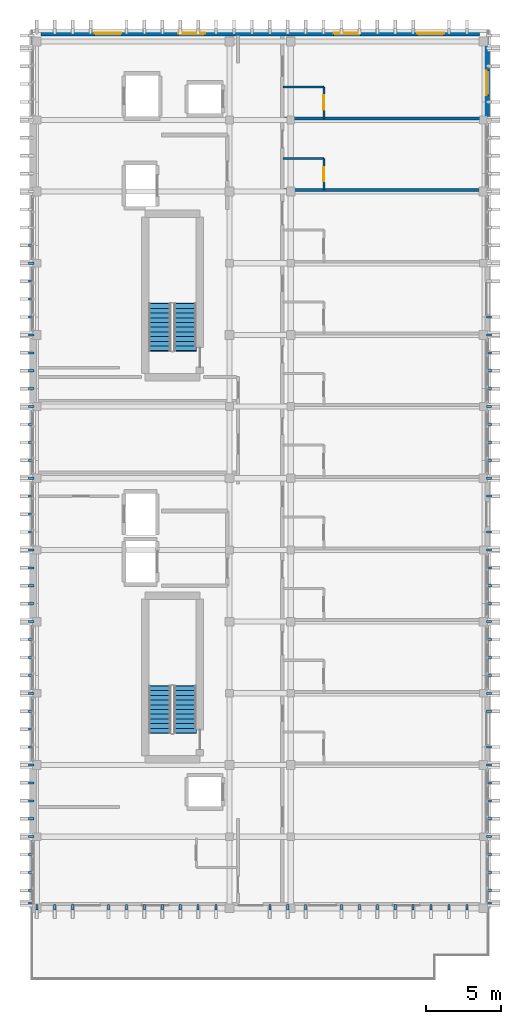
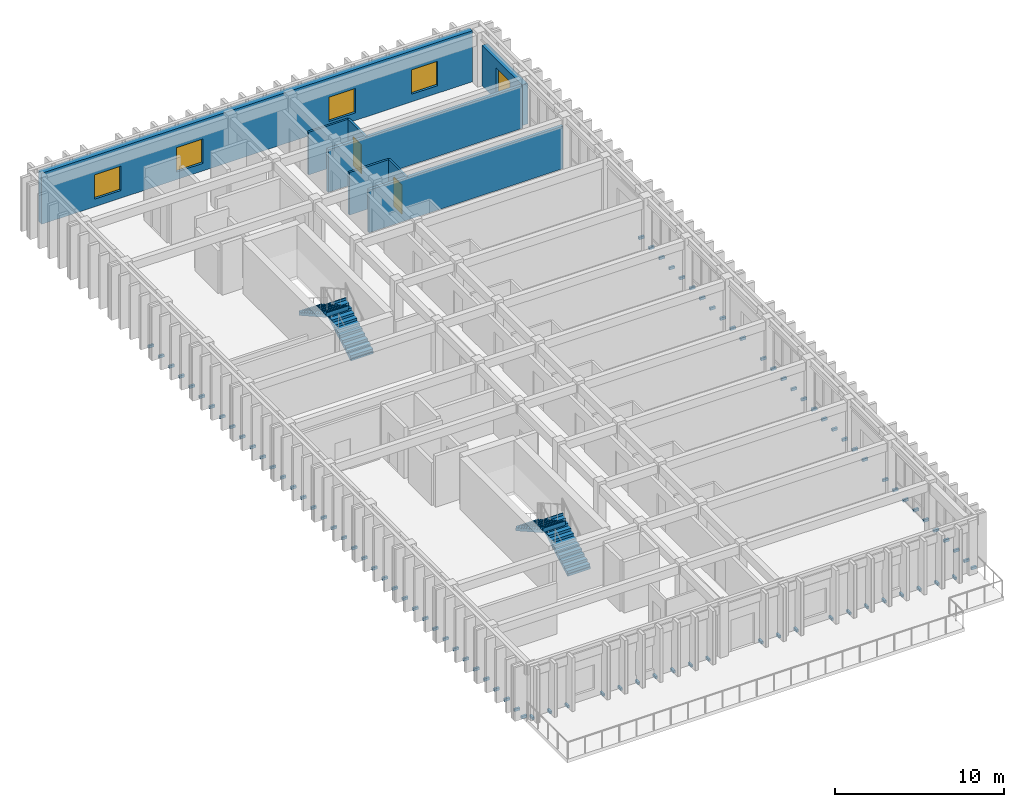
# One storey, part 42 of 49: 91 discrete accessories, 8 walls, 5 windows, 4 stair flights, 2 doors, 7 openings, 2 elements without a shape of their own.
"""IFC4 building model written with IfcOpenShell, lengths in metres."""

from ifc_helpers import new_model, si_unit, direction, frame, frame_2d, origin, origin_2d, place, context, subcontext, project, spatial, polyline, rectangle, outline, extrude, material, layer, layer_set, type_object, element, fill, aggregate, save


model = new_model("IFC4")

# Units and contexts
model_context = context("Model", 3, precision=1e-05, world=origin(), true_north=direction((0.0, 1.0)))
body_context = subcontext(model_context, "Body", "Model", "MODEL_VIEW")
ifc_project = project(units=[si_unit("LENGTHUNIT", "METRE"), si_unit("AREAUNIT", "SQUARE_METRE"), si_unit("VOLUMEUNIT", "CUBIC_METRE"), si_unit("PLANEANGLEUNIT", "RADIAN"), si_unit("MASSUNIT", "GRAM", prefix="KILO")], contexts=[model_context])

# Site, building, storey
site_placement = place(None, origin())
site = spatial("IfcSite", under=ifc_project, at=site_placement, CompositionType="ELEMENT")
building_placement = place(site_placement, origin())
building = spatial("IfcBuilding", under=site, at=building_placement, Name="Nakhvara Creek Congress Hotel", CompositionType="ELEMENT")
storey_placement = place(building_placement, frame((0.0, 0.0, 46.5)))
storey = spatial("IfcBuildingStorey", under=building, at=storey_placement, Name="L11", CompositionType="ELEMENT", Elevation=46.5)

# Wall, opening, door
ifc_material_1 = material(Name="Moisture-resistant gypsum board partition")
ifc_layer_1 = layer(ifc_material_1, 0.139892578125)
ifc_layer_set_1 = layer_set([ifc_layer_1], Name="Moisture-resistant gypsum board partition")
wall_type_1 = type_object("IfcWallType", Name="W-ENS-140", PredefinedType="PARTITIONING", material=ifc_layer_set_1)
wall_1_placement = place(storey_placement, frame((168.669921875, 115.300048828125, 0.0), z_axis=(0.0, 0.0, 1.0), x_axis=(0.0, 1.0, 0.0)))
wall_1 = element("IfcWall", 1, at=wall_1_placement, inside=storey, type_object=wall_type_1, Name="Interior Wall WP15-IW-L11-0788", PredefinedType="PARTITIONING", context=body_context, shape_type="SweptSolid", body=[
    extrude(rectangle(XDim=2.115966796875, YDim=0.139892578125, at=frame_2d((1.05810546875, 0.0))), origin(), (0.0, 0.0, 1.0), 3.072021484375),
])
opening_1_placement = place(wall_1_placement, frame((0.5830078125, 0.0, 0.0)))
opening_1 = element("IfcOpeningElement", 2, at=opening_1_placement, cuts=wall_1, Name="Opening ID02", PredefinedType="OPENING", context=body_context, shape_type="SweptSolid", body=[
    extrude(rectangle(XDim=0.9599609375, YDim=2.1201171875, at=frame_2d((0.47998046875, 1.06005859375))), frame((0.0, 0.08203125, 0.0), z_axis=(0.0, -1.0, 0.0), x_axis=(1.0, 0.0, 0.0)), (0.0, 0.0, 1.0), 0.163818359375),
])
ifc_material_2 = material(Name="Moisture-resistant walnut timber door", Category="wood")
door_type = type_object("IfcDoorType", Name="DT-ENS-096", OperationType="NOTDEFINED", PredefinedType="DOOR", material=ifc_material_2)
door_1_placement = place(opening_1_placement, frame((0.9599609375, 0.0, 0.0), z_axis=(0.0, 0.0, 1.0), x_axis=(-1.0, 0.0, 0.0)))
door_1 = element("IfcDoor", 3, at=door_1_placement, inside=storey, type_object=door_type, Name="Interior Door ID02-0563", OperationType="SINGLE_SWING_RIGHT", OverallHeight=2.1201171875, OverallWidth=0.9599609375, PredefinedType="DOOR", context=body_context, shape_type="SweptSolid", body=[
    extrude(rectangle(XDim=0.9599609375, YDim=2.1201171875, at=frame_2d((0.47998046875, 1.06005859375))), frame((0.0, 0.02490234375, 0.0), z_axis=(0.0, -1.0, 0.0), x_axis=(1.0, 0.0, 0.0)), (0.0, 0.0, 1.0), 0.050048828125),
])
fill(opening_1, door_1)

# Wall
wall_2_placement = place(storey_placement, frame((165.919921875, 117.416015625, 0.0), z_axis=(0.0, 0.0, 1.0), x_axis=(1.0, 0.0, 0.0)))
element("IfcWall", 4, at=wall_2_placement, inside=storey, type_object=wall_type_1, Name="Interior Wall WP15-IW-L11-0789", PredefinedType="PARTITIONING", context=body_context, shape_type="SweptSolid", body=[
    extrude(rectangle(XDim=2.75, YDim=0.139892578125, at=frame_2d((1.375, 0.0))), origin(), (0.0, 0.0, 1.0), 3.072021484375),
])

# Wall, opening, door
wall_3_placement = place(storey_placement, frame((168.669921875, 120.10009765625, 0.0), z_axis=(0.0, 0.0, 1.0), x_axis=(0.0, 1.0, 0.0)))
wall_3 = element("IfcWall", 5, at=wall_3_placement, inside=storey, type_object=wall_type_1, Name="Interior Wall WP15-IW-L11-0791", PredefinedType="PARTITIONING", context=body_context, shape_type="SweptSolid", body=[
    extrude(rectangle(XDim=2.115966796875, YDim=0.139892578125, at=frame_2d((1.05810546875, 0.0))), origin(), (0.0, 0.0, 1.0), 3.072021484375),
])
opening_2_placement = place(wall_3_placement, frame((0.5830078125, 0.0, 0.0)))
opening_2 = element("IfcOpeningElement", 6, at=opening_2_placement, cuts=wall_3, Name="Opening ID02", PredefinedType="OPENING", context=body_context, shape_type="SweptSolid", body=[
    extrude(rectangle(XDim=0.9599609375, YDim=2.1201171875, at=frame_2d((0.47998046875, 1.06005859375))), frame((0.0, 0.08203125, 0.0), z_axis=(0.0, -1.0, 0.0), x_axis=(1.0, 0.0, 0.0)), (0.0, 0.0, 1.0), 0.163818359375),
])
door_2_placement = place(opening_2_placement, frame((0.9599609375, 0.0, 0.0), z_axis=(0.0, 0.0, 1.0), x_axis=(-1.0, 0.0, 0.0)))
door_2 = element("IfcDoor", 7, at=door_2_placement, inside=storey, type_object=door_type, Name="Interior Door ID02-0565", OperationType="SINGLE_SWING_RIGHT", OverallHeight=2.1201171875, OverallWidth=0.9599609375, PredefinedType="DOOR", context=body_context, shape_type="SweptSolid", body=[
    extrude(rectangle(XDim=0.9599609375, YDim=2.1201171875, at=frame_2d((0.47998046875, 1.06005859375))), frame((0.0, 0.02490234375, 0.0), z_axis=(0.0, -1.0, 0.0), x_axis=(1.0, 0.0, 0.0)), (0.0, 0.0, 1.0), 0.050048828125),
])
fill(opening_2, door_2)

# Wall
wall_4_placement = place(storey_placement, frame((165.919921875, 122.216064453125, 0.0), z_axis=(0.0, 0.0, 1.0), x_axis=(1.0, 0.0, 0.0)))
element("IfcWall", 8, at=wall_4_placement, inside=storey, type_object=wall_type_1, Name="Interior Wall WP15-IW-L11-0792", PredefinedType="PARTITIONING", context=body_context, shape_type="SweptSolid", body=[
    extrude(rectangle(XDim=2.75, YDim=0.139892578125, at=frame_2d((1.375, 0.0))), origin(), (0.0, 0.0, 1.0), 3.072021484375),
])

# Wall, openings, windows
ifc_material_3 = material(Name="Honed pale Omani limestone cladding", Category="masonry")
ifc_layer_2 = layer(ifc_material_3, 0.050048828125)
ifc_material_4 = material(Name="Mineral wool thermal insulation")
ifc_layer_3 = layer(ifc_material_4, 0.110107421875)
ifc_material_5 = material(Name="Precast concrete C40/50", Category="concrete")
ifc_layer_4 = layer(ifc_material_5, 0.219970703125)
ifc_layer_set_2 = layer_set([ifc_layer_2, ifc_layer_3, ifc_layer_4], Name="Precast concrete C40/50")
wall_type_2 = type_object("IfcWallType", Name="W-EXT-380", PredefinedType="SOLIDWALL", material=ifc_layer_set_2)
wall_5_placement = place(storey_placement, frame((149.715087890625, 125.81005859375, 0.0), z_axis=(0.0, 0.0, 1.0), x_axis=(1.0, 0.0, 0.0)))
wall_5 = element("IfcWall", 9, at=wall_5_placement, inside=storey, type_object=wall_type_2, Name="Exterior Wall WE03-EW-L11-0221", PredefinedType="SOLIDWALL", context=body_context, shape_type="SweptSolid", body=[
    extrude(rectangle(XDim=29.369873046875, YDim=0.3798828125, at=frame_2d((14.68505859375, 0.0))), origin(), (0.0, 0.0, 1.0), 3.679931640625),
])
opening_3_placement = place(wall_5_placement, frame((3.60009765625, 0.0, 0.550048828125)))
opening_3 = element("IfcOpeningElement", 10, at=opening_3_placement, cuts=wall_5, Name="Opening WN0241", PredefinedType="OPENING", context=body_context, shape_type="SweptSolid", body=[
    extrude(rectangle(XDim=1.800048828125, YDim=1.760009765625, at=frame_2d((0.89990234375, 0.8798828125))), frame((0.0, 0.201904296875, 0.0), z_axis=(0.0, -1.0, 0.0), x_axis=(1.0, 0.0, 0.0)), (0.0, 0.0, 1.0), 0.40380859375),
])
opening_4_placement = place(wall_5_placement, frame((9.199951171875, 0.0, 0.550048828125)))
opening_4 = element("IfcOpeningElement", 11, at=opening_4_placement, cuts=wall_5, Name="Opening WN0242", PredefinedType="OPENING", context=body_context, shape_type="SweptSolid", body=[
    extrude(rectangle(XDim=1.800048828125, YDim=1.760009765625, at=frame_2d((0.89990234375, 0.8798828125))), frame((0.0, 0.201904296875, 0.0), z_axis=(0.0, -1.0, 0.0), x_axis=(1.0, 0.0, 0.0)), (0.0, 0.0, 1.0), 0.40380859375),
])
opening_5_placement = place(wall_5_placement, frame((19.60009765625, 0.0, 0.550048828125)))
opening_5 = element("IfcOpeningElement", 12, at=opening_5_placement, cuts=wall_5, Name="Opening WN0243", PredefinedType="OPENING", context=body_context, shape_type="SweptSolid", body=[
    extrude(rectangle(XDim=1.800048828125, YDim=1.760009765625, at=frame_2d((0.89990234375, 0.8798828125))), frame((0.0, 0.201904296875, 0.0), z_axis=(0.0, -1.0, 0.0), x_axis=(1.0, 0.0, 0.0)), (0.0, 0.0, 1.0), 0.40380859375),
])
opening_6_placement = place(wall_5_placement, frame((25.199951171875, 0.0, 0.550048828125)))
opening_6 = element("IfcOpeningElement", 13, at=opening_6_placement, cuts=wall_5, Name="Opening WN0244", PredefinedType="OPENING", context=body_context, shape_type="SweptSolid", body=[
    extrude(rectangle(XDim=1.800048828125, YDim=1.760009765625, at=frame_2d((0.89990234375, 0.8798828125))), frame((0.0, 0.201904296875, 0.0), z_axis=(0.0, -1.0, 0.0), x_axis=(1.0, 0.0, 0.0)), (0.0, 0.0, 1.0), 0.40380859375),
])
ifc_material_6 = material(Name="Thermally broken bronze-anodised aluminium and double-silver low-E insulated glass", Category="aluminium")
window_type_1 = type_object("IfcWindowType", Name="WN-LAN-180X225", PartitioningType="SINGLE_PANEL", PredefinedType="WINDOW", material=ifc_material_6)
window_1_placement = place(opening_3_placement, origin())
window_1 = element("IfcWindow", 14, at=window_1_placement, inside=storey, type_object=window_type_1, Name="Facade Window WN0241", OverallHeight=1.760009765625, OverallWidth=1.800048828125, PartitioningType="SINGLE_PANEL", PredefinedType="WINDOW", context=body_context, shape_type="SweptSolid", body=[
    extrude(rectangle(XDim=1.800048828125, YDim=1.760009765625, at=frame_2d((0.89990234375, 0.8798828125))), frame((0.0, 0.030029296875, 0.0), z_axis=(0.0, -1.0, 0.0), x_axis=(1.0, 0.0, 0.0)), (0.0, 0.0, 1.0), 0.06005859375),
])
fill(opening_3, window_1)
window_2_placement = place(opening_4_placement, origin())
window_2 = element("IfcWindow", 15, at=window_2_placement, inside=storey, type_object=window_type_1, Name="Facade Window WN0242", OverallHeight=1.760009765625, OverallWidth=1.800048828125, PartitioningType="SINGLE_PANEL", PredefinedType="WINDOW", context=body_context, shape_type="SweptSolid", body=[
    extrude(rectangle(XDim=1.800048828125, YDim=1.760009765625, at=frame_2d((0.89990234375, 0.8798828125))), frame((0.0, 0.030029296875, 0.0), z_axis=(0.0, -1.0, 0.0), x_axis=(1.0, 0.0, 0.0)), (0.0, 0.0, 1.0), 0.06005859375),
])
fill(opening_4, window_2)
window_3_placement = place(opening_5_placement, origin())
window_3 = element("IfcWindow", 16, at=window_3_placement, inside=storey, type_object=window_type_1, Name="Facade Window WN0243", OverallHeight=1.760009765625, OverallWidth=1.800048828125, PartitioningType="SINGLE_PANEL", PredefinedType="WINDOW", context=body_context, shape_type="SweptSolid", body=[
    extrude(rectangle(XDim=1.800048828125, YDim=1.760009765625, at=frame_2d((0.89990234375, 0.8798828125))), frame((0.0, 0.030029296875, 0.0), z_axis=(0.0, -1.0, 0.0), x_axis=(1.0, 0.0, 0.0)), (0.0, 0.0, 1.0), 0.06005859375),
])
fill(opening_5, window_3)
window_4_placement = place(opening_6_placement, origin())
window_4 = element("IfcWindow", 17, at=window_4_placement, inside=storey, type_object=window_type_1, Name="Facade Window WN0244", OverallHeight=1.760009765625, OverallWidth=1.800048828125, PartitioningType="SINGLE_PANEL", PredefinedType="WINDOW", context=body_context, shape_type="SweptSolid", body=[
    extrude(rectangle(XDim=1.800048828125, YDim=1.760009765625, at=frame_2d((0.89990234375, 0.8798828125))), frame((0.0, 0.030029296875, 0.0), z_axis=(0.0, -1.0, 0.0), x_axis=(1.0, 0.0, 0.0)), (0.0, 0.0, 1.0), 0.06005859375),
])
fill(opening_6, window_4)

# Wall, opening, window
wall_6_placement = place(storey_placement, frame((179.56005859375, 124.985107421875, 0.0), z_axis=(0.0, 0.0, 1.0), x_axis=(0.0, -1.0, 0.0)))
wall_6 = element("IfcWall", 18, at=wall_6_placement, inside=storey, type_object=wall_type_2, Name="Exterior Wall WE03-EW-L11-0230", PredefinedType="SOLIDWALL", context=body_context, shape_type="SweptSolid", body=[
    extrude(rectangle(XDim=4.75, YDim=0.3798828125, at=frame_2d((2.375, 0.0))), origin(), (0.0, 0.0, 1.0), 2.922119140625),
])
opening_7_placement = place(wall_6_placement, frame((1.677490234375, 0.0, 0.550048828125)))
opening_7 = element("IfcOpeningElement", 19, at=opening_7_placement, cuts=wall_6, Name="Opening WN0252", PredefinedType="OPENING", context=body_context, shape_type="SweptSolid", body=[
    extrude(rectangle(XDim=1.64990234375, YDim=1.75, at=frame_2d((0.824951171875, 0.875))), frame((0.0, 0.201904296875, 0.0), z_axis=(0.0, -1.0, 0.0), x_axis=(1.0, 0.0, 0.0)), (0.0, 0.0, 1.0), 0.40380859375),
])
window_type_2 = type_object("IfcWindowType", Name="WN-LAN-165X225", PartitioningType="SINGLE_PANEL", PredefinedType="WINDOW", material=ifc_material_6)
window_5_placement = place(opening_7_placement, origin())
window_5 = element("IfcWindow", 20, at=window_5_placement, inside=storey, type_object=window_type_2, Name="Facade Window WN0252", OverallHeight=1.75, OverallWidth=1.64990234375, PartitioningType="SINGLE_PANEL", PredefinedType="WINDOW", context=body_context, shape_type="SweptSolid", body=[
    extrude(rectangle(XDim=1.64990234375, YDim=1.75, at=frame_2d((0.824951171875, 0.875))), frame((0.0, 0.030029296875, 0.0), z_axis=(0.0, -1.0, 0.0), x_axis=(1.0, 0.0, 0.0)), (0.0, 0.0, 1.0), 0.06005859375),
])
fill(opening_7, window_5)

# Walls
ifc_material_7 = material(Name="Gypsum acoustic board on steel stud", Category="steel")
ifc_layer_5 = layer(ifc_material_7, 0.199951171875)
ifc_layer_set_3 = layer_set([ifc_layer_5], Name="Gypsum acoustic board on steel stud")
wall_type_3 = type_object("IfcWallType", Name="W-PART-200", PredefinedType="PARTITIONING", material=ifc_layer_set_3)
for number, where, z_axis, x_axis, name in (
    (21, (166.02001953125, 115.300048828125, 0.0), (0.0, 0.0, 1.0), (1.0, 0.0, 0.0), "Interior Wall WP12-IW-L11-0787"),
    (22, (166.02001953125, 120.10009765625, 0.0), (0.0, 0.0, 1.0), (1.0, 0.0, 0.0), "Interior Wall WP12-IW-L11-0790"),
):
    element("IfcWall", number, at=place(storey_placement, frame(where, z_axis=z_axis, x_axis=x_axis)), inside=storey, type_object=wall_type_3, Name=name, PredefinedType="PARTITIONING", context=body_context, shape_type="SweptSolid", body=[
        extrude(rectangle(XDim=13.22998046875, YDim=0.199951171875, at=frame_2d((6.614990234375, 0.0))), origin(), (0.0, 0.0, 1.0), 3.072021484375),
    ])

# Stair, stair flights
ifc_material_8 = material(Name="Concrete C40/50", Category="concrete")
stair_type = type_object("IfcStairType", Name="ST-CORE-160", PredefinedType="HALF_TURN_STAIR", material=ifc_material_8)
stair_1_placement = place(storey_placement, origin())
stair_1 = element("IfcStair", 23, at=stair_1_placement, inside=storey, type_object=stair_type, Name="L11 Protected Exit Stair ST01", PredefinedType="HALF_TURN_STAIR")
ifc_layer_6 = layer(ifc_material_8, 0.18994140625)
ifc_layer_set_4 = layer_set([ifc_layer_6], Name="Concrete C40/50")
stair_flight_type = type_object("IfcStairFlightType", Name="SFL-RC-160", PredefinedType="STRAIGHT", material=ifc_layer_set_4)
stair_flight_1_placement = place(storey_placement, frame((159.3798828125, 78.93994140625, 0.0), z_axis=(0.0, 0.0, 1.0), x_axis=(0.0, 1.0, 0.0)))
stair_flight_1 = element("IfcStairFlight", 24, at=stair_flight_1_placement, type_object=stair_flight_type, Name="ST01 flight 1", NumberOfRisers=11, NumberOfTreads=10, PredefinedType="STRAIGHT", RiserHeight=0.177272727, TreadLength=0.315, context=body_context, shape_type="SweptSolid", body=[
    extrude(outline(polyline([(-0.048095703125, 0.0), (0.0, 0.0), (0.0, 0.17724609375), (0.31494140625, 0.17724609375), (0.31494140625, 0.3544921875), (0.6298828125, 0.3544921875), (0.6298828125, 0.53173828125), (0.945068359375, 0.53173828125), (0.945068359375, 0.708984375), (1.260009765625, 0.708984375), (1.260009765625, 0.886474609375), (1.574951171875, 0.886474609375), (1.574951171875, 1.063720703125), (1.889892578125, 1.063720703125), (1.889892578125, 1.240966796875), (2.205078125, 1.240966796875), (2.205078125, 1.418212890625), (2.52001953125, 1.418212890625), (2.52001953125, 1.595458984375), (2.8349609375, 1.595458984375), (2.8349609375, 1.772705078125), (3.14990234375, 1.772705078125), (3.14990234375, 1.949951171875), (3.197998046875, 1.949951171875), (3.197998046875, 1.800048828125), (3.14990234375, 1.600830078125), (0.039306640625, -0.14990234375), (-0.048095703125, -0.14990234375), (-0.048095703125, 0.0)])), frame((0.0, 0.77001953125, 0.0), z_axis=(0.0, -1.0, 0.0), x_axis=(1.0, 0.0, 0.0)), (0.0, 0.0, 1.0), 1.5400390625),
])
stair_flight_2_placement = place(storey_placement, frame((157.68994140625, 82.090087890625, 1.949951171875), z_axis=(0.0, 0.0, 1.0), x_axis=(0.0, -1.0, 0.0)))
stair_flight_2 = element("IfcStairFlight", 25, at=stair_flight_2_placement, type_object=stair_flight_type, Name="ST01 flight 2", NumberOfRisers=11, NumberOfTreads=10, PredefinedType="STRAIGHT", RiserHeight=0.177272727, TreadLength=0.315, context=body_context, shape_type="SweptSolid", body=[
    extrude(outline(polyline([(-0.048095703125, 0.0), (0.0, 0.0), (0.0, 0.17724609375), (0.31494140625, 0.17724609375), (0.31494140625, 0.3544921875), (0.6298828125, 0.3544921875), (0.6298828125, 0.53173828125), (0.945068359375, 0.53173828125), (0.945068359375, 0.708984375), (1.260009765625, 0.708984375), (1.260009765625, 0.886474609375), (1.574951171875, 0.886474609375), (1.574951171875, 1.063720703125), (1.889892578125, 1.063720703125), (1.889892578125, 1.240966796875), (2.205078125, 1.240966796875), (2.205078125, 1.418212890625), (2.52001953125, 1.418212890625), (2.52001953125, 1.595458984375), (2.8349609375, 1.595458984375), (2.8349609375, 1.772705078125), (3.14990234375, 1.772705078125), (3.14990234375, 1.949951171875), (3.197998046875, 1.949951171875), (3.197998046875, 1.800048828125), (3.14990234375, 1.600830078125), (0.039306640625, -0.14990234375), (-0.048095703125, -0.14990234375), (-0.048095703125, 0.0)])), frame((0.0, 0.77001953125, 0.0), z_axis=(0.0, -1.0, 0.0), x_axis=(1.0, 0.0, 0.0)), (0.0, 0.0, 1.0), 1.5400390625),
])
aggregate(stair_1, [stair_flight_1, stair_flight_2])

stair_2_placement = place(storey_placement, origin())
stair_2 = element("IfcStair", 26, at=stair_2_placement, inside=storey, type_object=stair_type, Name="L11 Protected Exit Stair ST02", PredefinedType="HALF_TURN_STAIR")
stair_flight_3_placement = place(storey_placement, frame((159.3798828125, 104.5400390625, 0.0), z_axis=(0.0, 0.0, 1.0), x_axis=(0.0, 1.0, 0.0)))
stair_flight_3 = element("IfcStairFlight", 27, at=stair_flight_3_placement, type_object=stair_flight_type, Name="ST02 flight 1", NumberOfRisers=11, NumberOfTreads=10, PredefinedType="STRAIGHT", RiserHeight=0.177272727, TreadLength=0.315, context=body_context, shape_type="SweptSolid", body=[
    extrude(outline(polyline([(-0.048095703125, 0.0), (0.0, 0.0), (0.0, 0.17724609375), (0.31494140625, 0.17724609375), (0.31494140625, 0.3544921875), (0.6298828125, 0.3544921875), (0.6298828125, 0.53173828125), (0.945068359375, 0.53173828125), (0.945068359375, 0.708984375), (1.260009765625, 0.708984375), (1.260009765625, 0.886474609375), (1.574951171875, 0.886474609375), (1.574951171875, 1.063720703125), (1.889892578125, 1.063720703125), (1.889892578125, 1.240966796875), (2.205078125, 1.240966796875), (2.205078125, 1.418212890625), (2.52001953125, 1.418212890625), (2.52001953125, 1.595458984375), (2.8349609375, 1.595458984375), (2.8349609375, 1.772705078125), (3.14990234375, 1.772705078125), (3.14990234375, 1.949951171875), (3.197998046875, 1.949951171875), (3.197998046875, 1.800048828125), (3.14990234375, 1.600830078125), (0.039306640625, -0.14990234375), (-0.048095703125, -0.14990234375), (-0.048095703125, 0.0)])), frame((0.0, 0.77001953125, 0.0), z_axis=(0.0, -1.0, 0.0), x_axis=(1.0, 0.0, 0.0)), (0.0, 0.0, 1.0), 1.5400390625),
])
stair_flight_4_placement = place(storey_placement, frame((157.68994140625, 107.68994140625, 1.949951171875), z_axis=(0.0, 0.0, 1.0), x_axis=(0.0, -1.0, 0.0)))
stair_flight_4 = element("IfcStairFlight", 28, at=stair_flight_4_placement, type_object=stair_flight_type, Name="ST02 flight 2", NumberOfRisers=11, NumberOfTreads=10, PredefinedType="STRAIGHT", RiserHeight=0.177272727, TreadLength=0.315, context=body_context, shape_type="SweptSolid", body=[
    extrude(outline(polyline([(-0.048095703125, 0.0), (0.0, 0.0), (0.0, 0.17724609375), (0.31494140625, 0.17724609375), (0.31494140625, 0.3544921875), (0.6298828125, 0.3544921875), (0.6298828125, 0.53173828125), (0.945068359375, 0.53173828125), (0.945068359375, 0.708984375), (1.260009765625, 0.708984375), (1.260009765625, 0.886474609375), (1.574951171875, 0.886474609375), (1.574951171875, 1.063720703125), (1.889892578125, 1.063720703125), (1.889892578125, 1.240966796875), (2.205078125, 1.240966796875), (2.205078125, 1.418212890625), (2.52001953125, 1.418212890625), (2.52001953125, 1.595458984375), (2.8349609375, 1.595458984375), (2.8349609375, 1.772705078125), (3.14990234375, 1.772705078125), (3.14990234375, 1.949951171875), (3.197998046875, 1.949951171875), (3.197998046875, 1.800048828125), (3.14990234375, 1.600830078125), (0.039306640625, -0.14990234375), (-0.048095703125, -0.14990234375), (-0.048095703125, 0.0)])), frame((0.0, 0.77001953125, 0.0), z_axis=(0.0, -1.0, 0.0), x_axis=(1.0, 0.0, 0.0)), (0.0, 0.0, 1.0), 1.5400390625),
])
aggregate(stair_2, [stair_flight_3, stair_flight_4])

# Discrete accessories
ifc_material_9 = material(Name="Brushed stainless steel 316L", Category="steel")
discrete_accessory_type = type_object("IfcDiscreteAccessoryType", Name="ACC-BRK-SS316", PredefinedType="BRACKET", material=ifc_material_9)
for number, where, z_axis, x_axis, name in (
    (29, (179.72998046875, 67.550048828125, -0.10986328125), (0.0, 0.0, 1.0), (0.0, 1.0, 0.0), "Stainless Fin Bracket BK01-2304"),
    (30, (149.070068359375, 67.550048828125, -0.10986328125), (0.0, 0.0, 1.0), (0.0, 1.0, 0.0), "Stainless Fin Bracket BK01-2305"),
    (31, (179.72998046875, 68.39990234375, -0.10986328125), (0.0, 0.0, 1.0), (0.0, 1.0, 0.0), "Stainless Fin Bracket BK01-2306"),
    (32, (149.070068359375, 68.39990234375, -0.10986328125), (0.0, 0.0, 1.0), (0.0, 1.0, 0.0), "Stainless Fin Bracket BK01-2307"),
    (33, (179.72998046875, 69.60009765625, -0.10986328125), (0.0, 0.0, 1.0), (0.0, 1.0, 0.0), "Stainless Fin Bracket BK01-2308"),
    (34, (149.070068359375, 69.60009765625, -0.10986328125), (0.0, 0.0, 1.0), (0.0, 1.0, 0.0), "Stainless Fin Bracket BK01-2309"),
    (35, (179.72998046875, 70.800048828125, -0.10986328125), (0.0, 0.0, 1.0), (0.0, 1.0, 0.0), "Stainless Fin Bracket BK01-2310"),
    (36, (149.070068359375, 70.800048828125, -0.10986328125), (0.0, 0.0, 1.0), (0.0, 1.0, 0.0), "Stainless Fin Bracket BK01-2311"),
    (37, (179.72998046875, 72.0, -0.10986328125), (0.0, 0.0, 1.0), (0.0, 1.0, 0.0), "Stainless Fin Bracket BK01-2312"),
    (38, (149.070068359375, 72.0, -0.10986328125), (0.0, 0.0, 1.0), (0.0, 1.0, 0.0), "Stainless Fin Bracket BK01-2313"),
    (39, (179.72998046875, 73.199951171875, -0.10986328125), (0.0, 0.0, 1.0), (0.0, 1.0, 0.0), "Stainless Fin Bracket BK01-2314"),
    (40, (149.070068359375, 73.199951171875, -0.10986328125), (0.0, 0.0, 1.0), (0.0, 1.0, 0.0), "Stainless Fin Bracket BK01-2315"),
    (41, (179.72998046875, 74.39990234375, -0.10986328125), (0.0, 0.0, 1.0), (0.0, 1.0, 0.0), "Stainless Fin Bracket BK01-2316"),
    (42, (149.070068359375, 74.39990234375, -0.10986328125), (0.0, 0.0, 1.0), (0.0, 1.0, 0.0), "Stainless Fin Bracket BK01-2317"),
    (43, (179.72998046875, 75.60009765625, -0.10986328125), (0.0, 0.0, 1.0), (0.0, 1.0, 0.0), "Stainless Fin Bracket BK01-2318"),
    (44, (149.070068359375, 75.60009765625, -0.10986328125), (0.0, 0.0, 1.0), (0.0, 1.0, 0.0), "Stainless Fin Bracket BK01-2319"),
    (45, (179.72998046875, 76.800048828125, -0.10986328125), (0.0, 0.0, 1.0), (0.0, 1.0, 0.0), "Stainless Fin Bracket BK01-2320"),
    (46, (149.070068359375, 76.800048828125, -0.10986328125), (0.0, 0.0, 1.0), (0.0, 1.0, 0.0), "Stainless Fin Bracket BK01-2321"),
    (47, (179.72998046875, 78.0, -0.10986328125), (0.0, 0.0, 1.0), (0.0, 1.0, 0.0), "Stainless Fin Bracket BK01-2322"),
    (48, (149.070068359375, 78.0, -0.10986328125), (0.0, 0.0, 1.0), (0.0, 1.0, 0.0), "Stainless Fin Bracket BK01-2323"),
    (49, (149.070068359375, 79.199951171875, -0.10986328125), (0.0, 0.0, 1.0), (0.0, 1.0, 0.0), "Stainless Fin Bracket BK01-2324"),
    (50, (179.72998046875, 80.39990234375, -0.10986328125), (0.0, 0.0, 1.0), (0.0, 1.0, 0.0), "Stainless Fin Bracket BK01-2325"),
    (51, (149.070068359375, 80.39990234375, -0.10986328125), (0.0, 0.0, 1.0), (0.0, 1.0, 0.0), "Stainless Fin Bracket BK01-2326"),
    (52, (179.72998046875, 81.60009765625, -0.10986328125), (0.0, 0.0, 1.0), (0.0, 1.0, 0.0), "Stainless Fin Bracket BK01-2327"),
    (53, (149.070068359375, 81.60009765625, -0.10986328125), (0.0, 0.0, 1.0), (0.0, 1.0, 0.0), "Stainless Fin Bracket BK01-2328"),
    (54, (179.72998046875, 82.800048828125, -0.10986328125), (0.0, 0.0, 1.0), (0.0, 1.0, 0.0), "Stainless Fin Bracket BK01-2329"),
    (55, (149.070068359375, 82.800048828125, -0.10986328125), (0.0, 0.0, 1.0), (0.0, 1.0, 0.0), "Stainless Fin Bracket BK01-2330"),
    (56, (179.72998046875, 84.0, -0.10986328125), (0.0, 0.0, 1.0), (0.0, 1.0, 0.0), "Stainless Fin Bracket BK01-2331"),
    (57, (149.070068359375, 84.0, -0.10986328125), (0.0, 0.0, 1.0), (0.0, 1.0, 0.0), "Stainless Fin Bracket BK01-2332"),
    (58, (179.72998046875, 85.199951171875, -0.10986328125), (0.0, 0.0, 1.0), (0.0, 1.0, 0.0), "Stainless Fin Bracket BK01-2333"),
    (59, (149.070068359375, 85.199951171875, -0.10986328125), (0.0, 0.0, 1.0), (0.0, 1.0, 0.0), "Stainless Fin Bracket BK01-2334"),
    (60, (179.72998046875, 86.39990234375, -0.10986328125), (0.0, 0.0, 1.0), (0.0, 1.0, 0.0), "Stainless Fin Bracket BK01-2335"),
    (61, (149.070068359375, 86.39990234375, -0.10986328125), (0.0, 0.0, 1.0), (0.0, 1.0, 0.0), "Stainless Fin Bracket BK01-2336"),
    (62, (179.72998046875, 87.60009765625, -0.10986328125), (0.0, 0.0, 1.0), (0.0, 1.0, 0.0), "Stainless Fin Bracket BK01-2337"),
    (63, (149.070068359375, 87.60009765625, -0.10986328125), (0.0, 0.0, 1.0), (0.0, 1.0, 0.0), "Stainless Fin Bracket BK01-2338"),
    (64, (179.72998046875, 88.800048828125, -0.10986328125), (0.0, 0.0, 1.0), (0.0, 1.0, 0.0), "Stainless Fin Bracket BK01-2339"),
    (65, (149.070068359375, 88.800048828125, -0.10986328125), (0.0, 0.0, 1.0), (0.0, 1.0, 0.0), "Stainless Fin Bracket BK01-2340"),
    (66, (179.72998046875, 90.0, -0.10986328125), (0.0, 0.0, 1.0), (0.0, 1.0, 0.0), "Stainless Fin Bracket BK01-2341"),
    (67, (149.070068359375, 90.0, -0.10986328125), (0.0, 0.0, 1.0), (0.0, 1.0, 0.0), "Stainless Fin Bracket BK01-2342"),
    (68, (179.72998046875, 91.199951171875, -0.10986328125), (0.0, 0.0, 1.0), (0.0, 1.0, 0.0), "Stainless Fin Bracket BK01-2343"),
    (69, (149.070068359375, 91.199951171875, -0.10986328125), (0.0, 0.0, 1.0), (0.0, 1.0, 0.0), "Stainless Fin Bracket BK01-2344"),
    (70, (179.72998046875, 92.39990234375, -0.10986328125), (0.0, 0.0, 1.0), (0.0, 1.0, 0.0), "Stainless Fin Bracket BK01-2345"),
    (71, (149.070068359375, 92.39990234375, -0.10986328125), (0.0, 0.0, 1.0), (0.0, 1.0, 0.0), "Stainless Fin Bracket BK01-2346"),
    (72, (149.070068359375, 93.60009765625, -0.10986328125), (0.0, 0.0, 1.0), (0.0, 1.0, 0.0), "Stainless Fin Bracket BK01-2347"),
    (73, (179.72998046875, 94.800048828125, -0.10986328125), (0.0, 0.0, 1.0), (0.0, 1.0, 0.0), "Stainless Fin Bracket BK01-2348"),
    (74, (149.070068359375, 94.800048828125, -0.10986328125), (0.0, 0.0, 1.0), (0.0, 1.0, 0.0), "Stainless Fin Bracket BK01-2349"),
    (75, (179.72998046875, 96.0, -0.10986328125), (0.0, 0.0, 1.0), (0.0, 1.0, 0.0), "Stainless Fin Bracket BK01-2350"),
    (76, (149.070068359375, 96.0, -0.10986328125), (0.0, 0.0, 1.0), (0.0, 1.0, 0.0), "Stainless Fin Bracket BK01-2351"),
    (77, (179.72998046875, 97.199951171875, -0.10986328125), (0.0, 0.0, 1.0), (0.0, 1.0, 0.0), "Stainless Fin Bracket BK01-2352"),
    (78, (149.070068359375, 97.199951171875, -0.10986328125), (0.0, 0.0, 1.0), (0.0, 1.0, 0.0), "Stainless Fin Bracket BK01-2353"),
    (79, (179.72998046875, 98.39990234375, -0.10986328125), (0.0, 0.0, 1.0), (0.0, 1.0, 0.0), "Stainless Fin Bracket BK01-2354"),
    (80, (149.070068359375, 98.39990234375, -0.10986328125), (0.0, 0.0, 1.0), (0.0, 1.0, 0.0), "Stainless Fin Bracket BK01-2355"),
    (81, (179.72998046875, 99.60009765625, -0.10986328125), (0.0, 0.0, 1.0), (0.0, 1.0, 0.0), "Stainless Fin Bracket BK01-2356"),
    (82, (149.070068359375, 99.60009765625, -0.10986328125), (0.0, 0.0, 1.0), (0.0, 1.0, 0.0), "Stainless Fin Bracket BK01-2357"),
    (83, (179.72998046875, 100.800048828125, -0.10986328125), (0.0, 0.0, 1.0), (0.0, 1.0, 0.0), "Stainless Fin Bracket BK01-2358"),
    (84, (149.070068359375, 100.800048828125, -0.10986328125), (0.0, 0.0, 1.0), (0.0, 1.0, 0.0), "Stainless Fin Bracket BK01-2359"),
    (85, (179.72998046875, 102.0, -0.10986328125), (0.0, 0.0, 1.0), (0.0, 1.0, 0.0), "Stainless Fin Bracket BK01-2360"),
    (86, (149.070068359375, 102.0, -0.10986328125), (0.0, 0.0, 1.0), (0.0, 1.0, 0.0), "Stainless Fin Bracket BK01-2361"),
    (87, (179.72998046875, 103.199951171875, -0.10986328125), (0.0, 0.0, 1.0), (0.0, 1.0, 0.0), "Stainless Fin Bracket BK01-2362"),
    (88, (149.070068359375, 103.199951171875, -0.10986328125), (0.0, 0.0, 1.0), (0.0, 1.0, 0.0), "Stainless Fin Bracket BK01-2363"),
    (89, (179.72998046875, 104.39990234375, -0.10986328125), (0.0, 0.0, 1.0), (0.0, 1.0, 0.0), "Stainless Fin Bracket BK01-2364"),
    (90, (149.070068359375, 104.39990234375, -0.10986328125), (0.0, 0.0, 1.0), (0.0, 1.0, 0.0), "Stainless Fin Bracket BK01-2365"),
    (91, (179.72998046875, 105.60009765625, -0.10986328125), (0.0, 0.0, 1.0), (0.0, 1.0, 0.0), "Stainless Fin Bracket BK01-2366"),
    (92, (149.070068359375, 105.60009765625, -0.10986328125), (0.0, 0.0, 1.0), (0.0, 1.0, 0.0), "Stainless Fin Bracket BK01-2367"),
    (93, (179.72998046875, 106.800048828125, -0.10986328125), (0.0, 0.0, 1.0), (0.0, 1.0, 0.0), "Stainless Fin Bracket BK01-2368"),
    (94, (149.070068359375, 106.800048828125, -0.10986328125), (0.0, 0.0, 1.0), (0.0, 1.0, 0.0), "Stainless Fin Bracket BK01-2369"),
    (95, (149.070068359375, 108.0, -0.10986328125), (0.0, 0.0, 1.0), (0.0, 1.0, 0.0), "Stainless Fin Bracket BK01-2370"),
    (96, (149.070068359375, 109.199951171875, -0.10986328125), (0.0, 0.0, 1.0), (0.0, 1.0, 0.0), "Stainless Fin Bracket BK01-2372"),
    (97, (149.070068359375, 110.39990234375, -0.10986328125), (0.0, 0.0, 1.0), (0.0, 1.0, 0.0), "Stainless Fin Bracket BK01-2374"),
    (98, (149.070068359375, 111.60009765625, -0.10986328125), (0.0, 0.0, 1.0), (0.0, 1.0, 0.0), "Stainless Fin Bracket BK01-2376"),
    (99, (149.449951171875, 67.260009765625, -0.10986328125), (0.0, 0.0, 1.0), (1.0, 0.0, 0.0), "Stainless Fin Bracket BK01-2401"),
    (100, (150.64990234375, 67.260009765625, -0.10986328125), (0.0, 0.0, 1.0), (1.0, 0.0, 0.0), "Stainless Fin Bracket BK01-2403"),
    (101, (151.85009765625, 67.260009765625, -0.10986328125), (0.0, 0.0, 1.0), (1.0, 0.0, 0.0), "Stainless Fin Bracket BK01-2405"),
    (102, (154.25, 67.260009765625, -0.10986328125), (0.0, 0.0, 1.0), (1.0, 0.0, 0.0), "Stainless Fin Bracket BK01-2407"),
    (103, (155.449951171875, 67.260009765625, -0.10986328125), (0.0, 0.0, 1.0), (1.0, 0.0, 0.0), "Stainless Fin Bracket BK01-2409"),
    (104, (156.64990234375, 67.260009765625, -0.10986328125), (0.0, 0.0, 1.0), (1.0, 0.0, 0.0), "Stainless Fin Bracket BK01-2411"),
    (105, (157.85009765625, 67.260009765625, -0.10986328125), (0.0, 0.0, 1.0), (1.0, 0.0, 0.0), "Stainless Fin Bracket BK01-2413"),
    (106, (159.050048828125, 67.260009765625, -0.10986328125), (0.0, 0.0, 1.0), (1.0, 0.0, 0.0), "Stainless Fin Bracket BK01-2415"),
    (107, (160.25, 67.260009765625, -0.10986328125), (0.0, 0.0, 1.0), (1.0, 0.0, 0.0), "Stainless Fin Bracket BK01-2417"),
    (108, (161.449951171875, 67.260009765625, -0.10986328125), (0.0, 0.0, 1.0), (1.0, 0.0, 0.0), "Stainless Fin Bracket BK01-2419"),
    (109, (165.050048828125, 67.260009765625, -0.10986328125), (0.0, 0.0, 1.0), (1.0, 0.0, 0.0), "Stainless Fin Bracket BK01-2423"),
    (110, (166.25, 67.260009765625, -0.10986328125), (0.0, 0.0, 1.0), (1.0, 0.0, 0.0), "Stainless Fin Bracket BK01-2425"),
    (111, (167.449951171875, 67.260009765625, -0.10986328125), (0.0, 0.0, 1.0), (1.0, 0.0, 0.0), "Stainless Fin Bracket BK01-2427"),
    (112, (169.85009765625, 67.260009765625, -0.10986328125), (0.0, 0.0, 1.0), (1.0, 0.0, 0.0), "Stainless Fin Bracket BK01-2430"),
    (113, (171.050048828125, 67.260009765625, -0.10986328125), (0.0, 0.0, 1.0), (1.0, 0.0, 0.0), "Stainless Fin Bracket BK01-2432"),
    (114, (172.25, 67.260009765625, -0.10986328125), (0.0, 0.0, 1.0), (1.0, 0.0, 0.0), "Stainless Fin Bracket BK01-2434"),
    (115, (173.449951171875, 67.260009765625, -0.10986328125), (0.0, 0.0, 1.0), (1.0, 0.0, 0.0), "Stainless Fin Bracket BK01-2436"),
    (116, (174.64990234375, 67.260009765625, -0.10986328125), (0.0, 0.0, 1.0), (1.0, 0.0, 0.0), "Stainless Fin Bracket BK01-2438"),
    (117, (175.85009765625, 67.260009765625, -0.10986328125), (0.0, 0.0, 1.0), (1.0, 0.0, 0.0), "Stainless Fin Bracket BK01-2439"),
    (118, (177.050048828125, 67.260009765625, -0.10986328125), (0.0, 0.0, 1.0), (1.0, 0.0, 0.0), "Stainless Fin Bracket BK01-2441"),
    (119, (178.25, 67.260009765625, -0.10986328125), (0.0, 0.0, 1.0), (1.0, 0.0, 0.0), "Stainless Fin Bracket BK01-2443"),
):
    element("IfcDiscreteAccessory", number, at=place(storey_placement, frame(where, z_axis=z_axis, x_axis=x_axis)), inside=storey, type_object=discrete_accessory_type, Name=name, PredefinedType="BRACKET", context=body_context, shape_type="SweptSolid", body=[
        extrude(rectangle(XDim=0.139892578125, YDim=0.360107421875, at=origin_2d()), origin(), (0.0, 0.0, 1.0), 0.179931640625),
    ])

save(model, "model.ifc")
